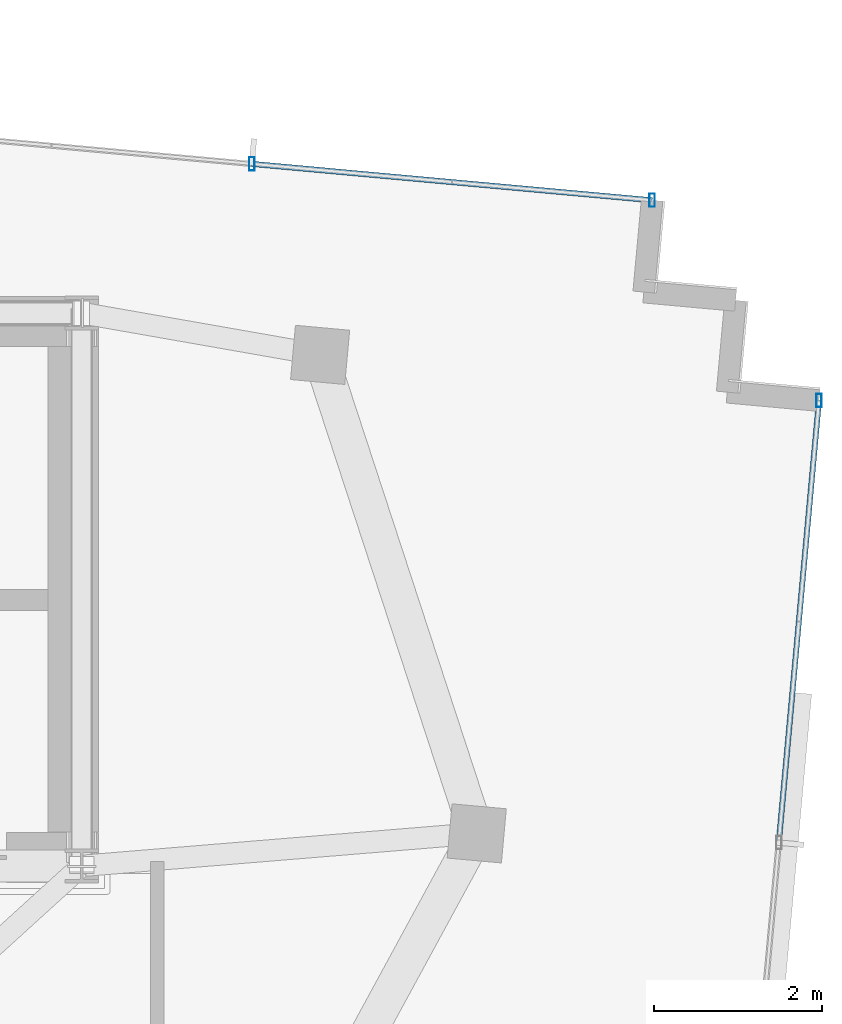
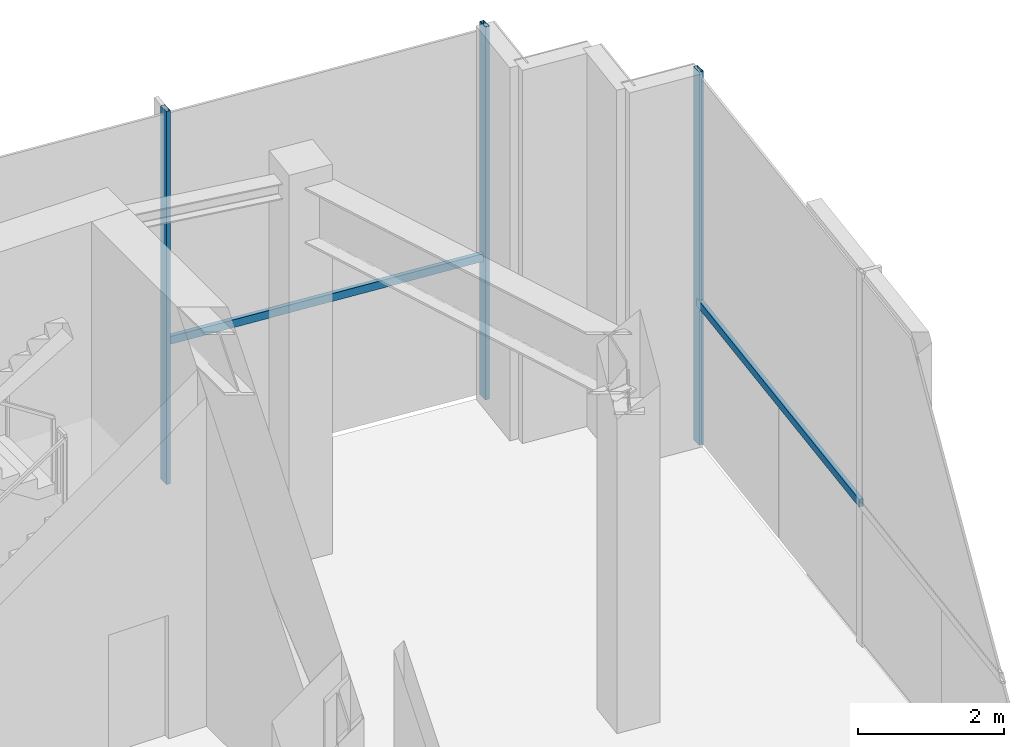
# One storey, part 13 of 19: 5 members, 2 elements without a shape of their own.
"""IFC4 building model written with IfcOpenShell, lengths in metres."""

from ifc_helpers import new_model, si_unit, direction, frame, origin, origin_2d, place, context, subcontext, project, spatial, hollow_rectangle, extrude, source, transform, mapped, material, material_profile, profile_set, type_object, type_shapes, element, aggregate, save


model = new_model("IFC4")

# Units and contexts
model_context = context("Model", 3, precision=1e-05, world=origin(), true_north=direction((0.0, 1.0)))
body_context = subcontext(model_context, "Body", "Model", "MODEL_VIEW")
ifc_project = project(units=[si_unit("LENGTHUNIT", "METRE"), si_unit("AREAUNIT", "SQUARE_METRE"), si_unit("VOLUMEUNIT", "CUBIC_METRE"), si_unit("PLANEANGLEUNIT", "RADIAN"), si_unit("MASSUNIT", "GRAM", prefix="KILO")], contexts=[model_context])

# Site, building, storey
site_placement = place(None, origin())
site = spatial("IfcSite", under=ifc_project, at=site_placement, CompositionType="ELEMENT")
building_placement = place(site_placement, origin())
building = spatial("IfcBuilding", under=site, at=building_placement, Name="Astriad Promenade Condominiums", CompositionType="ELEMENT")
storey_placement = place(building_placement, frame((0.0, 0.0, 283.800048828125)))
storey = spatial("IfcBuildingStorey", under=building, at=storey_placement, Name="L79", CompositionType="ELEMENT", Elevation=283.800048828125)

# Curtain wall, member
ifc_material_1 = material(Name="Anodised aluminium Black Dark Glass Unitised", Category="aluminium")
curtain_wall_type = type_object("IfcCurtainWallType", Name="CW-TMD-LANTERN", PredefinedType="USERDEFINED", material=ifc_material_1)
curtain_wall_1_placement = place(storey_placement, origin())
curtain_wall_1 = element("IfcCurtainWall", 1, at=curtain_wall_1_placement, inside=storey, type_object=curtain_wall_type, Name="CW-CRN-L79-13", ObjectType="UNITISED_CURTAIN_WALL", PredefinedType="USERDEFINED")
ifc_material_2 = material(Name="Anodised aluminium 6063-T6 Black", Category="aluminium")
ifc_material_profile_1 = material_profile(ifc_material_2, hollow_rectangle(XDim=0.06494140625, YDim=0.1298828125, WallThickness=0.00390625, at=origin_2d()), Name="ALU-TRN-65X130")
ifc_profile_set_1 = profile_set([ifc_material_profile_1], Name="Anodised aluminium 6063-T6 Black")
member_type_1 = type_object("IfcMemberType", Name="TRN-ALU-TRN-65X130", PredefinedType="USERDEFINED", material=ifc_profile_set_1)
shared_shape_1 = source(origin(), body_context, "Body", "SweptSolid", [
    extrude(hollow_rectangle(XDim=0.06494140625, YDim=0.1298828125, WallThickness=0.00390625, at=origin_2d()), origin(), (0.0, 0.0, 1.0), 5.300048828125),
])
member_1_placement = place(storey_placement, frame((54.402099609375, 22.956298828125, 2.349853515625), z_axis=(-0.090606350912, -0.99588678532, 0.0), x_axis=(0.99588678532, -0.090606350912, 0.0)))
member_1 = element("IfcMember", 2, at=member_1_placement, type_object=member_type_1, Name="CW-CRN-L79-13-TRN-00-0", ObjectType="TRANSOM", PredefinedType="USERDEFINED", context=body_context, shape_type="MappedRepresentation", body=[
    mapped(shared_shape_1, transform((0.0, 0.0, 0.0), scale=1.0)),
])

# Curtain wall, members
curtain_wall_2_placement = place(storey_placement, origin())
curtain_wall_2 = element("IfcCurtainWall", 3, at=curtain_wall_2_placement, inside=storey, type_object=curtain_wall_type, Name="CW-CRN-L79-08", ObjectType="UNITISED_CURTAIN_WALL", PredefinedType="USERDEFINED")
ifc_material_profile_2 = material_profile(ifc_material_2, hollow_rectangle(XDim=0.06494140625, YDim=0.159912109375, WallThickness=0.00390625, at=origin_2d()), Name="ALU-MUL-65X160")
ifc_profile_set_2 = profile_set([ifc_material_profile_2], Name="Anodised aluminium 6063-T6 Black")
member_type_2 = type_object("IfcMemberType", Name="MUL-ALU-MUL-65X160", PredefinedType="MULLION", material=ifc_profile_set_2)
shared_shape_2 = source(origin(), body_context, "Body", "SweptSolid", [
    extrude(hollow_rectangle(XDim=0.06494140625, YDim=0.159912109375, WallThickness=0.00390625, at=origin_2d()), origin(), (0.0, 0.0, 1.0), 6.219970703125),
])
type_shapes(member_type_2, [shared_shape_2])
member_2_placement = place(storey_placement, frame((47.63037109375, 25.781494140625, 0.0), z_axis=(0.0, 0.0, 1.0), x_axis=(1.0, 0.0, 0.0)))
member_2 = element("IfcMember", 4, at=member_2_placement, type_object=member_type_2, Name="CW-CRN-L79-08-MUL-06", PredefinedType="MULLION", context=body_context, shape_type="MappedRepresentation", body=[
    mapped(shared_shape_2, transform((0.0, 0.0, 0.0), scale=1.0)),
])
member_3_placement = place(storey_placement, frame((52.41064453125, 25.346435546875, 0.0), z_axis=(0.0, 0.0, 1.0), x_axis=(1.0, 0.0, 0.0)))
member_3 = element("IfcMember", 5, at=member_3_placement, type_object=member_type_2, Name="CW-CRN-L79-08-MUL-07", PredefinedType="MULLION", context=body_context, shape_type="MappedRepresentation", body=[
    mapped(shared_shape_2, transform((0.0, 0.0, 0.0), scale=1.0)),
])

# Member
member_4_placement = place(storey_placement, frame((54.402099609375, 22.956298828125, 0.0), z_axis=(0.0, 0.0, 1.0), x_axis=(1.0, 0.0, 0.0)))
member_4 = element("IfcMember", 6, at=member_4_placement, type_object=member_type_2, Name="CW-CRN-L79-13-MUL-00", PredefinedType="MULLION", context=body_context, shape_type="MappedRepresentation", body=[
    mapped(shared_shape_2, transform((0.0, 0.0, 0.0), scale=1.0)),
])

aggregate(curtain_wall_1, [member_4, member_1])

shared_shape_3 = source(origin(), body_context, "Body", "SweptSolid", [
    extrude(hollow_rectangle(XDim=0.06494140625, YDim=0.1298828125, WallThickness=0.00390625, at=origin_2d()), origin(), (0.0, 0.0, 1.0), 4.800048828125),
])
type_shapes(member_type_1, [shared_shape_1, shared_shape_3])
member_5_placement = place(storey_placement, frame((47.63037109375, 25.781494140625, 2.349853515625), z_axis=(0.995884029465, -0.09063663639, 0.0), x_axis=(0.09063663639, 0.995884029465, 0.0)))
member_5 = element("IfcMember", 7, at=member_5_placement, type_object=member_type_1, Name="CW-CRN-L79-08-TRN-06-0", ObjectType="TRANSOM", PredefinedType="USERDEFINED", context=body_context, shape_type="MappedRepresentation", body=[
    mapped(shared_shape_3, transform((0.0, 0.0, 0.0), scale=1.0)),
])

aggregate(curtain_wall_2, [member_2, member_3, member_5])

save(model, "model.ifc")
